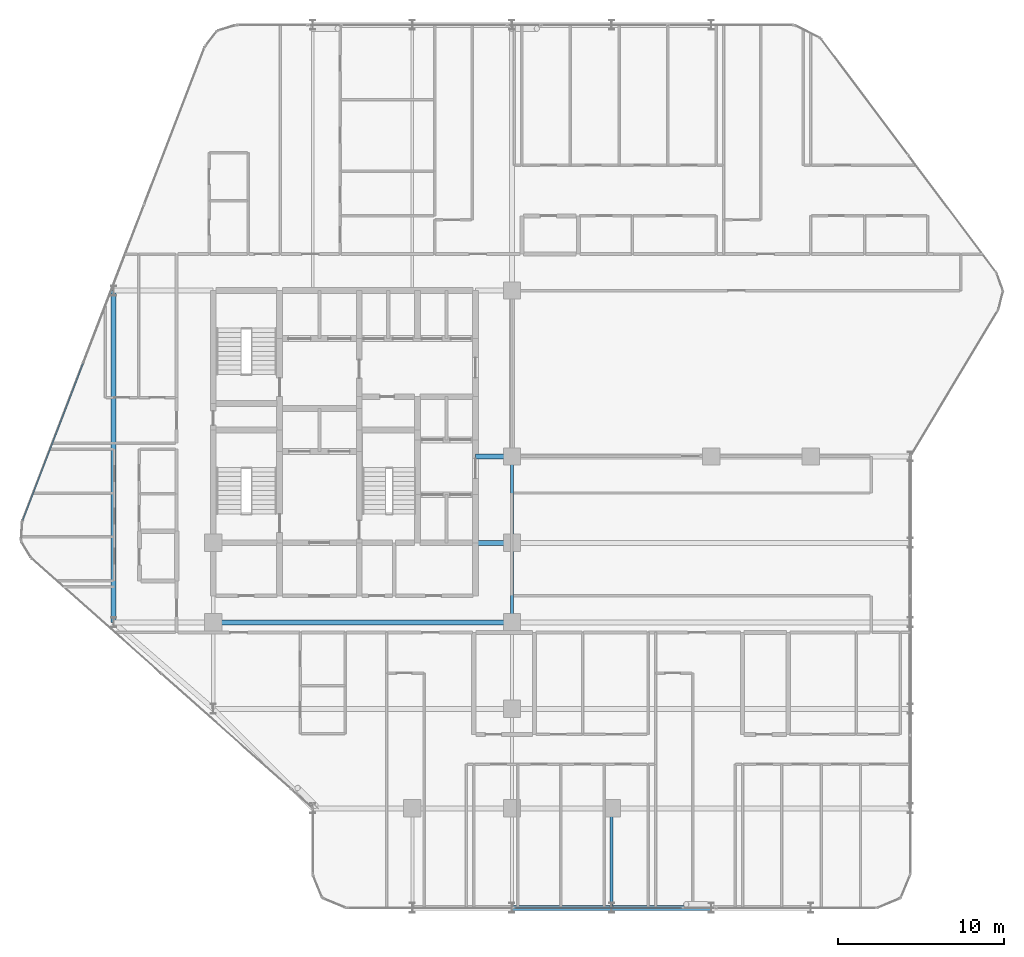
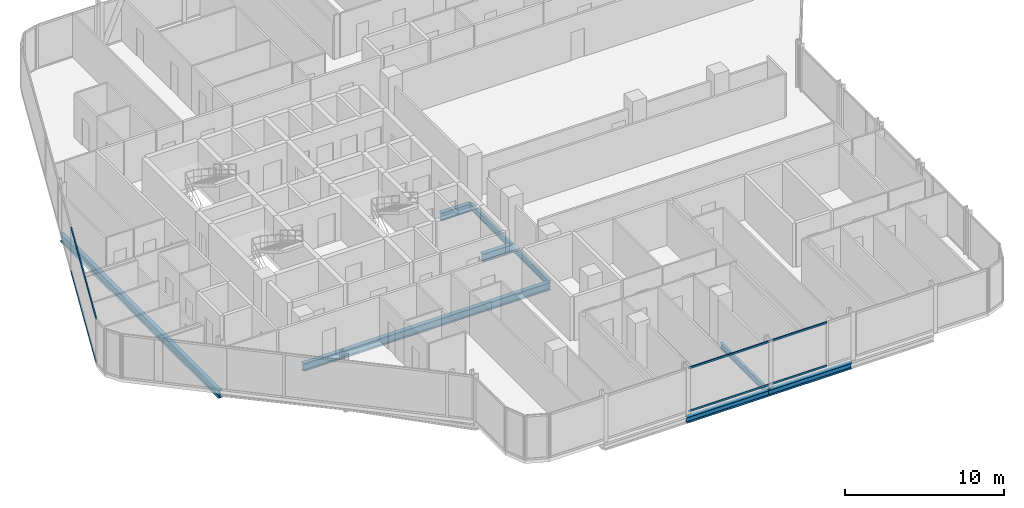
# One storey, part 7 of 30: 9 beams, 4 members, 2 elements without a shape of their own.
"""IFC4 building model written with IfcOpenShell, lengths in metres."""

from ifc_helpers import new_model, si_unit, direction, frame, origin, origin_2d, place, context, subcontext, project, spatial, hollow_rectangle, i_section, extrude, material, layer, layer_set, material_profile, profile_set, type_object, element, aggregate, save


model = new_model("IFC4")

# Units and contexts
model_context = context("Model", 3, precision=1e-05, world=origin(), true_north=direction((0.0, 1.0)))
body_context = subcontext(model_context, "Body", "Model", "MODEL_VIEW")
ifc_project = project(units=[si_unit("LENGTHUNIT", "METRE"), si_unit("AREAUNIT", "SQUARE_METRE"), si_unit("VOLUMEUNIT", "CUBIC_METRE"), si_unit("PLANEANGLEUNIT", "RADIAN"), si_unit("MASSUNIT", "GRAM", prefix="KILO")], contexts=[model_context])

# Site, building, storey
site_placement = place(None, origin())
site = spatial("IfcSite", under=ifc_project, at=site_placement, CompositionType="ELEMENT")
building_placement = place(site_placement, origin())
building = spatial("IfcBuilding", under=site, at=building_placement, Name="Keshet Zoharim Tower", CompositionType="ELEMENT")
storey_placement = place(building_placement, frame((0.0, 0.0, 90.89990234375)))
storey = spatial("IfcBuildingStorey", under=building, at=storey_placement, Name="L21", CompositionType="ELEMENT", Elevation=90.89990234375)

# Beams
ifc_material_1 = material(Name="Steel S355", Category="steel")
ifc_material_profile_1 = material_profile(ifc_material_1, i_section(OverallWidth=0.300048828125, OverallDepth=0.60009765625, WebThickness=0.015380859375, FlangeThickness=0.030029296875, FilletRadius=0.027099609375, at=origin_2d()), Name="HEB600")
ifc_profile_set_1 = profile_set([ifc_material_profile_1], Name="Steel S355")
beam_type_1 = type_object("IfcBeamType", Name="BM-CLK-HB600", PredefinedType="BEAM", material=ifc_profile_set_1)
for number, where, z_axis, x_axis, name in (
    (1, (30.800048828125, 22.699951171875, -0.614990234375), (1.0, 0.0, 0.0), (0.0, 1.0, 0.0), "L21 Core Wall Link Girder 01"),
    (2, (30.800048828125, 27.89990234375, -0.614990234375), (1.0, 0.0, 0.0), (0.0, 1.0, 0.0), "L21 Core Wall Link Girder 02"),
):
    element("IfcBeam", number, at=place(storey_placement, frame(where, z_axis=z_axis, x_axis=x_axis)), inside=storey, type_object=beam_type_1, Name=name, PredefinedType="BEAM", context=body_context, shape_type="SweptSolid", body=[
        extrude(i_section(OverallWidth=0.300048828125, OverallDepth=0.60009765625, WebThickness=0.015380859375, FlangeThickness=0.030029296875, FilletRadius=0.027099609375, at=origin_2d()), origin(), (0.0, 0.0, 1.0), 2.199951171875),
    ])
ifc_material_profile_2 = material_profile(ifc_material_1, i_section(OverallWidth=0.300048828125, OverallDepth=0.60009765625, WebThickness=0.015380859375, FlangeThickness=0.030029296875, FilletRadius=0.027099609375, at=origin_2d()), Name="HEB600")
ifc_profile_set_2 = profile_set([ifc_material_profile_2], Name="Steel S355")
beam_type_2 = type_object("IfcBeamType", Name="BM-LNG-HB600", PredefinedType="BEAM", material=ifc_profile_set_2)
beam_1_placement = place(storey_placement, frame((15.0, 17.89990234375, -0.614990234375), z_axis=(1.0, 0.0, 0.0), x_axis=(0.0, 1.0, 0.0)))
element("IfcBeam", 3, at=beam_1_placement, inside=storey, type_object=beam_type_2, Name="L21 Primary Girder X-012", PredefinedType="BEAM", context=body_context, shape_type="SweptSolid", body=[
    extrude(i_section(OverallWidth=0.300048828125, OverallDepth=0.60009765625, WebThickness=0.015380859375, FlangeThickness=0.030029296875, FilletRadius=0.027099609375, at=origin_2d()), origin(), (0.0, 0.0, 1.0), 18.0),
])
beam_2_placement = place(storey_placement, frame((9.0, 17.89990234375, -0.614990234375), z_axis=(0.0, 1.0, 0.0), x_axis=(-1.0, 0.0, 0.0)))
element("IfcBeam", 4, at=beam_2_placement, inside=storey, type_object=beam_type_2, Name="L21 Primary Girder Y-001", PredefinedType="BEAM", context=body_context, shape_type="SweptSolid", body=[
    extrude(i_section(OverallWidth=0.300048828125, OverallDepth=0.60009765625, WebThickness=0.015380859375, FlangeThickness=0.030029296875, FilletRadius=0.027099609375, at=origin_2d()), origin(), (0.0, 0.0, 1.0), 20.0),
])
ifc_material_profile_3 = material_profile(ifc_material_1, i_section(OverallWidth=0.18994140625, OverallDepth=0.449951171875, WebThickness=0.009521484375, FlangeThickness=0.0146484375, FilletRadius=0.02099609375, at=origin_2d()), Name="IPE450")
ifc_profile_set_3 = profile_set([ifc_material_profile_3], Name="Steel S355")
beam_type_3 = type_object("IfcBeamType", Name="BM-PRI-IP450", PredefinedType="BEAM", material=ifc_profile_set_3)
beam_3_placement = place(storey_placement, frame((33.0, 17.89990234375, -0.539794921875), z_axis=(0.0, 1.0, 0.0), x_axis=(-1.0, 0.0, 0.0)))
element("IfcBeam", 5, at=beam_3_placement, inside=storey, type_object=beam_type_3, Name="L21 Primary Girder Y-008", PredefinedType="BEAM", context=body_context, shape_type="SweptSolid", body=[
    extrude(i_section(OverallWidth=0.18994140625, OverallDepth=0.449951171875, WebThickness=0.009521484375, FlangeThickness=0.0146484375, FilletRadius=0.02099609375, at=origin_2d()), origin(), (0.0, 0.0, 1.0), 4.800048828125),
])
beam_4_placement = place(storey_placement, frame((33.0, 22.699951171875, -0.539794921875), z_axis=(0.0, 1.0, 0.0), x_axis=(-1.0, 0.0, 0.0)))
element("IfcBeam", 6, at=beam_4_placement, inside=storey, type_object=beam_type_3, Name="L21 Primary Girder Y-009", PredefinedType="BEAM", context=body_context, shape_type="SweptSolid", body=[
    extrude(i_section(OverallWidth=0.18994140625, OverallDepth=0.449951171875, WebThickness=0.009521484375, FlangeThickness=0.0146484375, FilletRadius=0.02099609375, at=origin_2d()), origin(), (0.0, 0.0, 1.0), 5.199951171875),
])
beam_5_placement = place(storey_placement, frame((39.0, 0.699951171875, -0.539794921875), z_axis=(0.0, 1.0, 0.0), x_axis=(-1.0, 0.0, 0.0)))
element("IfcBeam", 7, at=beam_5_placement, inside=storey, type_object=beam_type_3, Name="L21 Primary Girder Y-012", PredefinedType="BEAM", context=body_context, shape_type="SweptSolid", body=[
    extrude(i_section(OverallWidth=0.18994140625, OverallDepth=0.449951171875, WebThickness=0.009521484375, FlangeThickness=0.0146484375, FilletRadius=0.02099609375, at=origin_2d()), origin(), (0.0, 0.0, 1.0), 6.0),
])
ifc_material_profile_4 = material_profile(ifc_material_1, i_section(OverallWidth=0.300048828125, OverallDepth=0.449951171875, WebThickness=0.013916015625, FlangeThickness=0.02587890625, FilletRadius=0.027099609375, at=origin_2d()), Name="HEB450")
ifc_profile_set_4 = profile_set([ifc_material_profile_4], Name="Steel S355")
beam_type_4 = type_object("IfcBeamType", Name="BM-WEB-HB450", PredefinedType="BEAM", material=ifc_profile_set_4)
for number, where, z_axis, x_axis, name in (
    (8, (33.0, 0.699951171875, -0.539794921875), (1.0, 0.0, 0.0), (0.0, 1.0, 0.0), "L21 Primary Girder X-002"),
    (9, (39.0, 0.699951171875, -0.539794921875), (1.0, 0.0, 0.0), (0.0, 1.0, 0.0), "L21 Primary Girder X-003"),
):
    element("IfcBeam", number, at=place(storey_placement, frame(where, z_axis=z_axis, x_axis=x_axis)), inside=storey, type_object=beam_type_4, Name=name, PredefinedType="BEAM", context=body_context, shape_type="SweptSolid", body=[
        extrude(i_section(OverallWidth=0.300048828125, OverallDepth=0.449951171875, WebThickness=0.013916015625, FlangeThickness=0.02587890625, FilletRadius=0.027099609375, at=origin_2d()), origin(), (0.0, 0.0, 1.0), 6.0),
    ])

# Curtain wall, members
ifc_material_2 = material(Name="Aluminium 6063-T6", Category="aluminium")
ifc_layer = layer(ifc_material_2, 0.159912109375)
ifc_layer_set = layer_set([ifc_layer], Name="Aluminium 6063-T6")
curtain_wall_type = type_object("IfcCurtainWallType", Name="CW-SYS-03", PredefinedType="NOTDEFINED", material=ifc_layer_set)
curtain_wall_1_placement = place(storey_placement, origin())
curtain_wall_1 = element("IfcCurtainWall", 10, at=curtain_wall_1_placement, inside=storey, type_object=curtain_wall_type, Name="L21 Unitised Curtain Wall 03 Part 3", PredefinedType="NOTDEFINED")
ifc_material_profile_5 = material_profile(ifc_material_2, hollow_rectangle(XDim=0.080078125, YDim=0.139892578125, WallThickness=0.00390625, at=origin_2d()), Name="TRN-80x140")
ifc_profile_set_5 = profile_set([ifc_material_profile_5], Name="Aluminium 6063-T6")
member_type = type_object("IfcMemberType", Name="CWT-T14", PredefinedType="USERDEFINED", material=ifc_profile_set_5)
member_1_placement = place(storey_placement, frame((43.2373046875, 0.699951171875, 0.03515625), z_axis=(-1.0, 0.0, 0.0), x_axis=(0.0, -1.0, 0.0)))
member_1 = element("IfcMember", 11, at=member_1_placement, type_object=member_type, Name="CW-03 transom 1.1", ObjectType="TRANSOM", PredefinedType="USERDEFINED", context=body_context, shape_type="SweptSolid", body=[
    extrude(hollow_rectangle(XDim=0.080078125, YDim=0.139892578125, WallThickness=0.00390625, at=origin_2d()), origin(), (0.0, 0.0, 1.0), 10.08349609375),
])
member_2_placement = place(storey_placement, frame((43.2373046875, 0.699951171875, 3.35009765625), z_axis=(-1.0, 0.0, 0.0), x_axis=(0.0, -1.0, 0.0)))
member_2 = element("IfcMember", 12, at=member_2_placement, type_object=member_type, Name="CW-03 transom 1.2", ObjectType="TRANSOM", PredefinedType="USERDEFINED", context=body_context, shape_type="SweptSolid", body=[
    extrude(hollow_rectangle(XDim=0.080078125, YDim=0.139892578125, WallThickness=0.00390625, at=origin_2d()), origin(), (0.0, 0.0, 1.0), 10.08349609375),
])
aggregate(curtain_wall_1, [member_1, member_2])

curtain_wall_2_placement = place(storey_placement, origin())
curtain_wall_2 = element("IfcCurtainWall", 13, at=curtain_wall_2_placement, inside=storey, type_object=curtain_wall_type, Name="L21 Unitised Curtain Wall 10", PredefinedType="NOTDEFINED")
member_3_placement = place(storey_placement, frame((3.522216796875, 24.058349609375, 0.03515625), z_axis=(0.358993631387, 0.93334000912, 0.0), x_axis=(-0.93334000912, 0.358993631387, 0.0)))
member_3 = element("IfcMember", 14, at=member_3_placement, type_object=member_type, Name="CW-03 transom 1.1", ObjectType="TRANSOM", PredefinedType="USERDEFINED", context=body_context, shape_type="SweptSolid", body=[
    extrude(hollow_rectangle(XDim=0.080078125, YDim=0.139892578125, WallThickness=0.00390625, at=origin_2d()), origin(), (0.0, 0.0, 1.0), 10.1181640625),
])
member_4_placement = place(storey_placement, frame((3.522216796875, 24.058349609375, 3.35009765625), z_axis=(0.358993631387, 0.93334000912, 0.0), x_axis=(-0.93334000912, 0.358993631387, 0.0)))
member_4 = element("IfcMember", 15, at=member_4_placement, type_object=member_type, Name="CW-03 transom 1.2", ObjectType="TRANSOM", PredefinedType="USERDEFINED", context=body_context, shape_type="SweptSolid", body=[
    extrude(hollow_rectangle(XDim=0.080078125, YDim=0.139892578125, WallThickness=0.00390625, at=origin_2d()), origin(), (0.0, 0.0, 1.0), 10.1181640625),
])
aggregate(curtain_wall_2, [member_3, member_4])

save(model, "model.ifc")
